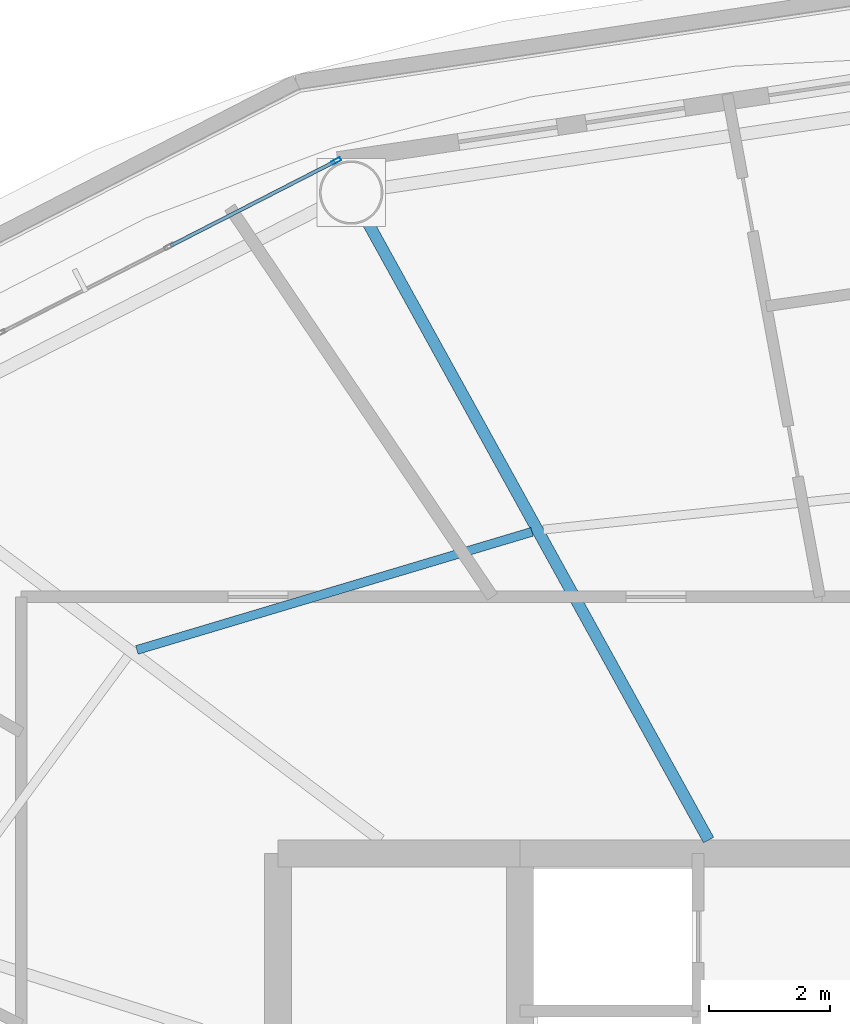
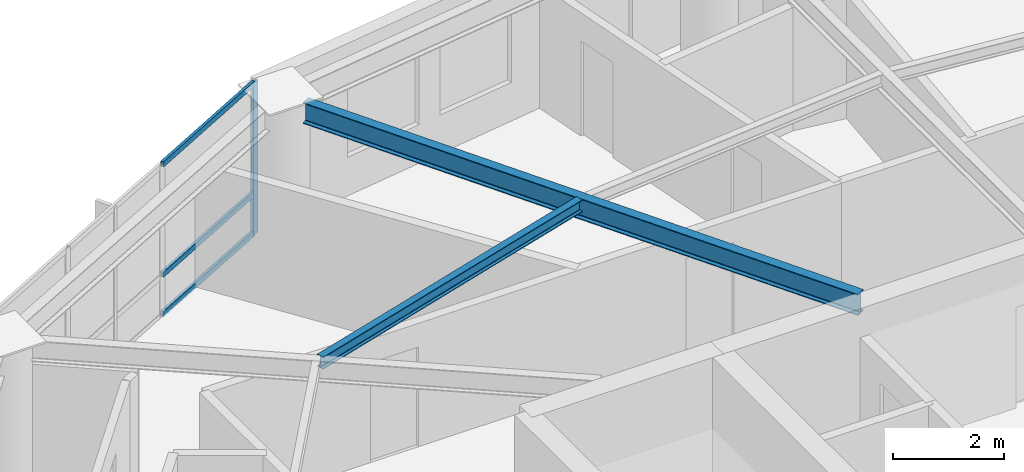
# One storey, part 9 of 22: 4 members, 2 beams, 1 element without a shape of its own.
"""IFC4 building model written with IfcOpenShell, lengths in metres."""

from ifc_helpers import new_model, si_unit, direction, frame, origin, origin_2d, place, context, subcontext, project, spatial, hollow_rectangle, i_section, extrude, material, layer, layer_set, material_profile, profile_set, type_object, element, aggregate, save


model = new_model("IFC4")

# Units and contexts
model_context = context("Model", 3, precision=1e-05, world=origin(), true_north=direction((0.0, 1.0)))
body_context = subcontext(model_context, "Body", "Model", "MODEL_VIEW")
ifc_project = project(units=[si_unit("LENGTHUNIT", "METRE"), si_unit("AREAUNIT", "SQUARE_METRE"), si_unit("VOLUMEUNIT", "CUBIC_METRE"), si_unit("PLANEANGLEUNIT", "RADIAN"), si_unit("MASSUNIT", "GRAM", prefix="KILO")], contexts=[model_context])

# Site, building, storey
site_placement = place(None, origin())
site = spatial("IfcSite", under=ifc_project, at=site_placement, CompositionType="ELEMENT")
building_placement = place(site_placement, origin())
building = spatial("IfcBuilding", under=site, at=building_placement, Name="Sarneth Arch Tower", CompositionType="ELEMENT")
storey_placement = place(building_placement, frame((0.0, 0.0, 206.39990234375)))
storey = spatial("IfcBuildingStorey", under=building, at=storey_placement, Name="L52", CompositionType="ELEMENT", Elevation=206.39990234375)

# Beams
ifc_material_1 = material(Name="Steel S355", Category="steel")
ifc_material_profile_1 = material_profile(ifc_material_1, i_section(OverallWidth=0.14794921875, OverallDepth=0.26611328125, WebThickness=0.007568359375, FlangeThickness=0.012939453125, FilletRadius=0.012939453125, at=origin_2d()), Name="W250x44.8")
ifc_profile_set_1 = profile_set([ifc_material_profile_1], Name="Steel S355")
beam_type_1 = type_object("IfcBeamType", Name="BM-JOIST-250", PredefinedType="JOIST", material=ifc_profile_set_1)
beam_1_placement = place(storey_placement, frame((41.20068359375, 54.12451171875, 3.22705078125), z_axis=(-0.958092748216, -0.286458174636, 0.0), x_axis=(0.286458174636, -0.958092748216, 0.0)))
element("IfcBeam", 1, at=beam_1_placement, inside=storey, type_object=beam_type_1, Name="L52 Secondary floor joist 06", PredefinedType="JOIST", context=body_context, shape_type="SweptSolid", body=[
    extrude(i_section(OverallWidth=0.14794921875, OverallDepth=0.26611328125, WebThickness=0.007568359375, FlangeThickness=0.012939453125, FilletRadius=0.012939453125, at=origin_2d()), origin(), (0.0, 0.0, 1.0), 6.8232421875),
])
ifc_material_2 = material(Name="Steel S355", Category="steel")
ifc_material_profile_2 = material_profile(ifc_material_2, i_section(OverallWidth=0.19189453125, OverallDepth=0.462890625, WebThickness=0.010498046875, FlangeThickness=0.017578125, FilletRadius=0.01806640625, at=origin_2d()), Name="W460x89")
ifc_profile_set_2 = profile_set([ifc_material_profile_2], Name="Steel S355")
beam_type_2 = type_object("IfcBeamType", Name="BM-RAD-460B", PredefinedType="BEAM", material=ifc_profile_set_2)
beam_2_placement = place(storey_placement, frame((44.12255859375, 49.02490234375, 3.128662109375), z_axis=(-0.483230528767, 0.875493150212, 0.0), x_axis=(-0.875493150212, -0.483230528767, 0.0)))
element("IfcBeam", 2, at=beam_2_placement, inside=storey, type_object=beam_type_2, Name="L52 Radial floor girder 06", PredefinedType="BEAM", context=body_context, shape_type="SweptSolid", body=[
    extrude(i_section(OverallWidth=0.19189453125, OverallDepth=0.462890625, WebThickness=0.010498046875, FlangeThickness=0.017578125, FilletRadius=0.01806640625, at=origin_2d()), origin(), (0.0, 0.0, 1.0), 11.712158203125),
])

# Curtain wall, members
ifc_material_3 = material(Name="Anodised aluminium Type AA25 and solar-control low-e laminated IGU", Category="aluminium")
ifc_layer = layer(ifc_material_3, 0.179931640625)
ifc_layer_set = layer_set([ifc_layer], Name="Anodised aluminium Type AA25 and solar-control low-e laminated IGU")
curtain_wall_type = type_object("IfcCurtainWallType", Name="CW-RES-HIGH", PredefinedType="NOTDEFINED", material=ifc_layer_set)
curtain_wall_placement = place(storey_placement, origin())
curtain_wall = element("IfcCurtainWall", 3, at=curtain_wall_placement, inside=storey, type_object=curtain_wall_type, Name="L52 Unitised curtain wall facet 06", PredefinedType="NOTDEFINED")
ifc_material_4 = material(Name="Anodised Aluminium 6063-T6", Category="aluminium")
ifc_material_profile_3 = material_profile(ifc_material_4, hollow_rectangle(XDim=0.06005859375, YDim=0.159912109375, WallThickness=0.00390625, at=origin_2d()), Name="AL-MULL-160x60x4")
ifc_profile_set_3 = profile_set([ifc_material_profile_3], Name="Anodised Aluminium 6063-T6")
member_type_1 = type_object("IfcMemberType", Name="CW-MULLION", PredefinedType="MULLION", material=ifc_profile_set_3)
member_1_placement = place(storey_placement, frame((37.960693359375, 60.2607421875, 0.0), z_axis=(0.0, 0.0, 1.0), x_axis=(0.455941901753, -0.890009540525, 0.0)))
member_1 = element("IfcMember", 4, at=member_1_placement, type_object=member_type_1, Name="CW-SYS-6 mullion 1", PredefinedType="MULLION", context=body_context, shape_type="SweptSolid", body=[
    extrude(hollow_rectangle(XDim=0.06005859375, YDim=0.159912109375, WallThickness=0.00390625, at=origin_2d()), origin(), (0.0, 0.0, 1.0), 3.360107421875),
])
ifc_material_5 = material(Name="Anodised Aluminium 6063-T6", Category="aluminium")
ifc_material_profile_4 = material_profile(ifc_material_5, hollow_rectangle(XDim=0.06005859375, YDim=0.1201171875, WallThickness=0.00390625, at=origin_2d()), Name="AL-TRAN-120x60x4")
ifc_profile_set_4 = profile_set([ifc_material_profile_4], Name="Anodised Aluminium 6063-T6")
member_type_2 = type_object("IfcMemberType", Name="CW-TRANSOM", PredefinedType="USERDEFINED", material=ifc_profile_set_4)
member_2_placement = place(storey_placement, frame((37.933837890625, 60.2470703125, 0.030029296875), z_axis=(-0.889973523166, -0.456012201662, 0.0), x_axis=(0.456012201662, -0.889973523166, 0.0)))
member_2 = element("IfcMember", 5, at=member_2_placement, type_object=member_type_2, Name="CW-SYS-6 transom 1.1", ObjectType="TRANSOM", PredefinedType="USERDEFINED", context=body_context, shape_type="SweptSolid", body=[
    extrude(hollow_rectangle(XDim=0.06005859375, YDim=0.1201171875, WallThickness=0.00390625, at=origin_2d()), origin(), (0.0, 0.0, 1.0), 3.044677734375),
])
member_3_placement = place(storey_placement, frame((37.933837890625, 60.2470703125, 0.900146484375), z_axis=(-0.889973523166, -0.456012201662, 0.0), x_axis=(0.456012201662, -0.889973523166, 0.0)))
member_3 = element("IfcMember", 6, at=member_3_placement, type_object=member_type_2, Name="CW-SYS-6 transom 1.2", ObjectType="TRANSOM", PredefinedType="USERDEFINED", context=body_context, shape_type="SweptSolid", body=[
    extrude(hollow_rectangle(XDim=0.06005859375, YDim=0.1201171875, WallThickness=0.00390625, at=origin_2d()), origin(), (0.0, 0.0, 1.0), 3.044677734375),
])
member_4_placement = place(storey_placement, frame((37.933837890625, 60.2470703125, 3.330078125), z_axis=(-0.889973523166, -0.456012201662, 0.0), x_axis=(0.456012201662, -0.889973523166, 0.0)))
member_4 = element("IfcMember", 7, at=member_4_placement, type_object=member_type_2, Name="CW-SYS-6 transom 1.3", ObjectType="TRANSOM", PredefinedType="USERDEFINED", context=body_context, shape_type="SweptSolid", body=[
    extrude(hollow_rectangle(XDim=0.06005859375, YDim=0.1201171875, WallThickness=0.00390625, at=origin_2d()), origin(), (0.0, 0.0, 1.0), 3.044677734375),
])
aggregate(curtain_wall, [member_1, member_2, member_3, member_4])

save(model, "model.ifc")
